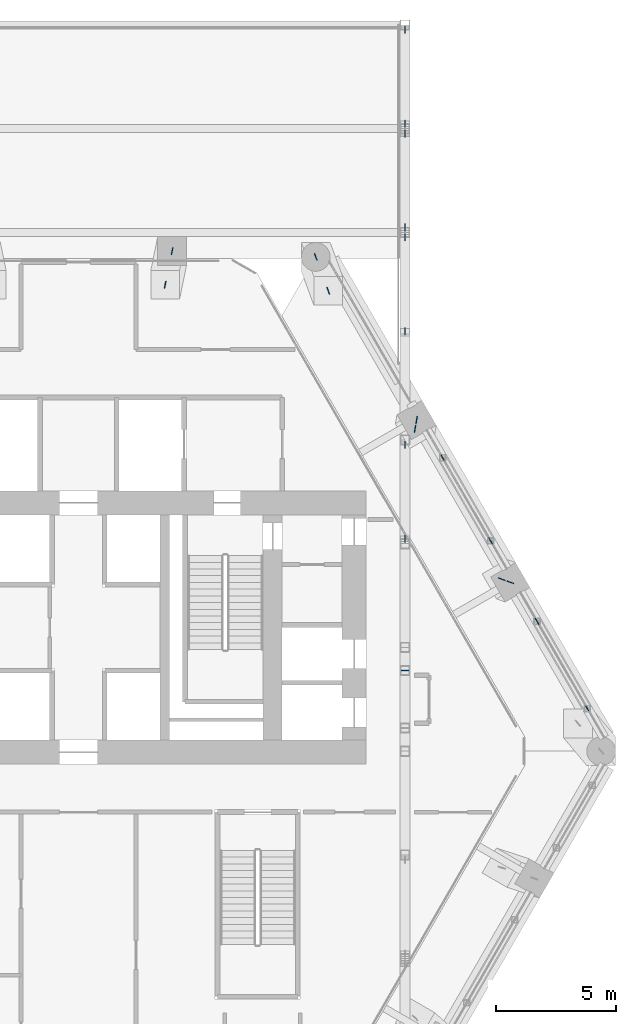
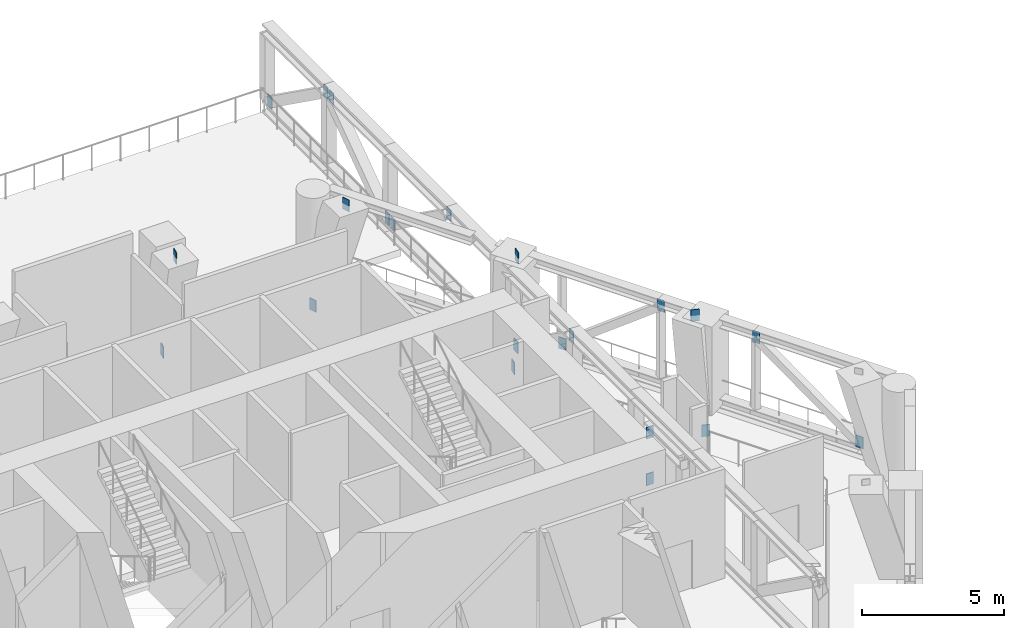
# One storey, part 17 of 22: 22 discrete accessories.
"""IFC4 building model written with IfcOpenShell, lengths in metres."""

from ifc_helpers import new_model, si_unit, direction, frame, origin, origin_2d, place, context, subcontext, project, spatial, rectangle, extrude, material, layer, layer_set, type_object, element, save


model = new_model("IFC4")

# Units and contexts
model_context = context("Model", 3, precision=1e-05, world=origin(), true_north=direction((0.0, 1.0)))
body_context = subcontext(model_context, "Body", "Model", "MODEL_VIEW")
ifc_project = project(units=[si_unit("LENGTHUNIT", "METRE"), si_unit("AREAUNIT", "SQUARE_METRE"), si_unit("VOLUMEUNIT", "CUBIC_METRE"), si_unit("PLANEANGLEUNIT", "RADIAN"), si_unit("MASSUNIT", "GRAM", prefix="KILO")], contexts=[model_context])

# Site, building, storey
site_placement = place(None, origin())
site = spatial("IfcSite", under=ifc_project, at=site_placement, CompositionType="ELEMENT")
building_placement = place(site_placement, origin())
building = spatial("IfcBuilding", under=site, at=building_placement, Name="Ostrander Bayou Hotel Tower", CompositionType="ELEMENT")
storey_placement = place(building_placement, frame((0.0, 0.0, 146.0)))
storey = spatial("IfcBuildingStorey", under=building, at=storey_placement, Name="L36", CompositionType="ELEMENT", Elevation=146.0)

# Discrete accessories
ifc_material = material(Name="Steel ASTM A572 Gr 50", Category="steel")
ifc_layer = layer(ifc_material, 0.030029296875)
ifc_layer_set = layer_set([ifc_layer], Name="GP1 gusset plate 30 mm")
discrete_accessory_type = type_object("IfcDiscreteAccessoryType", Name="GP1 gusset plate 30 mm", PredefinedType="BRACKET", material=ifc_layer_set)
for number, where, z_axis, x_axis, name in (
    (1, (21.227783203125, 0.61962890625, 0.130615234375), (0.0, 0.0, 1.0), (-0.5, 0.866025403784, 0.0), "GP1 gusset plate belt 29"),
    (2, (19.12744140625, 4.25732421875, 3.16943359375), (0.0, 0.0, 1.0), (-0.5, 0.866025403784, 0.0), "GP1 gusset plate belt 30"),
    (3, (15.18798828125, 11.08056640625, 0.130615234375), (0.0, 0.0, 1.0), (0.499984884929, -0.866034130299, 0.0), "GP1 gusset plate belt 31"),
    (4, (17.190185546875, 7.61279296875, 3.16943359375), (0.0, 0.0, 1.0), (0.499984884929, -0.866034130299, 0.0), "GP1 gusset plate belt 32"),
    (5, (13.6201171875, 28.933837890625, 0.247802734375), (0.0, 0.0, 1.0), (0.0, -1.0, 0.0), "GP1 gusset plate bar 135"),
    (6, (13.6201171875, 25.0126953125, 3.05224609375), (0.0, 0.0, 1.0), (0.0, -1.0, 0.0), "GP1 gusset plate bar 136"),
    (7, (13.6201171875, 20.68505859375, 0.247802734375), (0.0, 0.0, 1.0), (0.0, 1.0, 0.0), "GP1 gusset plate bar 137"),
    (8, (13.6201171875, 24.606201171875, 3.05224609375), (0.0, 0.0, 1.0), (0.0, 1.0, 0.0), "GP1 gusset plate bar 138"),
    (9, (13.6201171875, 20.278564453125, 0.247802734375), (0.0, 0.0, 1.0), (0.0, -1.0, 0.0), "GP1 gusset plate bar 139"),
    (10, (13.6201171875, 16.357421875, 3.05224609375), (0.0, 0.0, 1.0), (0.0, -1.0, 0.0), "GP1 gusset plate bar 140"),
    (11, (13.6201171875, 11.623291015625, 0.247802734375), (0.0, 0.0, 1.0), (0.0, -1.0, 0.0), "GP1 gusset plate bar 141"),
    (12, (13.6201171875, 7.701904296875, 3.05224609375), (0.0, 0.0, 1.0), (0.0, -1.0, 0.0), "GP1 gusset plate bar 142"),
    (13, (13.6201171875, 2.20751953125, 0.247802734375), (0.0, 0.0, 1.0), (1.0, 0.0, 0.0), "GP1 gusset plate bar 143"),
    (14, (13.6201171875, 2.20751953125, 2.25), (0.0, 0.0, 1.0), (1.0, 0.0, 0.0), "GP1 gusset plate bar 144"),
    (15, (9.899169921875, 19.458740234375, -1.449951171875), (0.0, 0.0, 1.0), (0.344872288836, -0.938649617479, 0.0), "GP1 gusset plate belt 95"),
    (16, (10.41845703125, 18.04541015625, 3.550048828125), (0.0, 0.0, 1.0), (0.344872288836, -0.938649617479, 0.0), "GP1 gusset plate belt 96"),
    (17, (3.90673828125, 19.699951171875, -1.449951171875), (0.0, 0.0, 1.0), (-0.20189849753, -0.979406451222, 0.0), "GP1 gusset plate belt 97"),
    (18, (3.6181640625, 18.300048828125, 3.550048828125), (0.0, 0.0, 1.0), (-0.20189849753, -0.979406451222, 0.0), "GP1 gusset plate belt 98"),
    (19, (18.012451171875, 5.888427734375, -1.449951171875), (0.0, 0.0, 1.0), (-0.940525527603, 0.339723022369, 0.0), "GP1 gusset plate belt 117"),
    (20, (17.6572265625, 6.0166015625, 3.550048828125), (0.0, 0.0, 1.0), (-0.940525527603, 0.339723022369, 0.0), "GP1 gusset plate belt 118"),
    (21, (14.105712890625, 12.655029296875, -1.449951171875), (0.0, 0.0, 1.0), (-0.176328880208, -0.984331309065, 0.0), "GP1 gusset plate belt 119"),
    (22, (14.039306640625, 12.283203125, 3.550048828125), (0.0, 0.0, 1.0), (-0.176328880208, -0.984331309065, 0.0), "GP1 gusset plate belt 120"),
):
    element("IfcDiscreteAccessory", number, at=place(storey_placement, frame(where, z_axis=z_axis, x_axis=x_axis)), inside=storey, type_object=discrete_accessory_type, Name=name, PredefinedType="BRACKET", context=body_context, shape_type="SweptSolid", body=[
        extrude(rectangle(XDim=0.300048828125, YDim=0.030029296875, at=origin_2d()), origin(), (0.0, 0.0, 1.0), 0.5),
    ])

save(model, "model.ifc")
